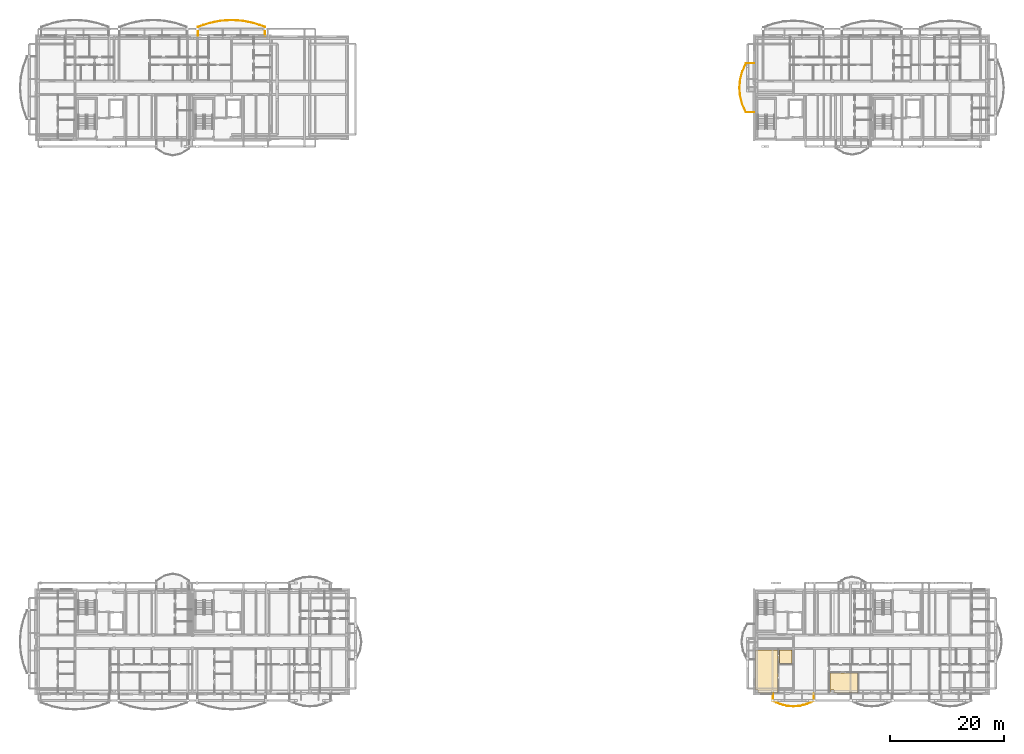
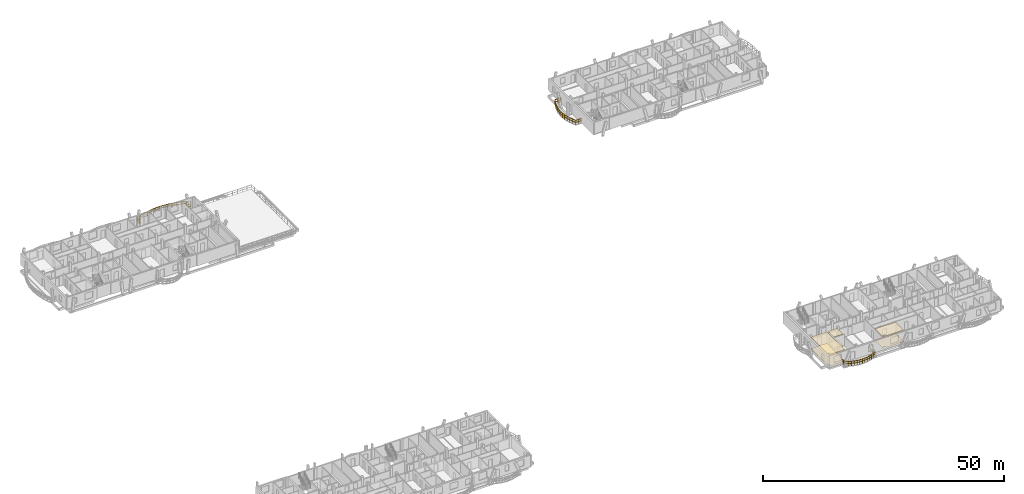
# One storey, part 38 of 42: 6 coverings, 3 railings.
"""IFC4 building model written with IfcOpenShell, lengths in metres."""

from ifc_helpers import new_model, si_unit, direction, frame, origin, origin_2d, place, context, subcontext, project, spatial, polyline, rectangle, outline, extrude, material, layer, layer_set, type_object, element, save


model = new_model("IFC4")

# Units and contexts
model_context = context("Model", 3, precision=1e-05, world=origin(), true_north=direction((0.0, 1.0)))
body_context = subcontext(model_context, "Body", "Model", "MODEL_VIEW")
ifc_project = project(units=[si_unit("LENGTHUNIT", "METRE"), si_unit("AREAUNIT", "SQUARE_METRE"), si_unit("VOLUMEUNIT", "CUBIC_METRE"), si_unit("PLANEANGLEUNIT", "RADIAN"), si_unit("MASSUNIT", "GRAM", prefix="KILO")], contexts=[model_context])

# Site, building, storey
site_placement = place(None, origin())
site = spatial("IfcSite", under=ifc_project, at=site_placement, CompositionType="ELEMENT")
building_placement = place(site_placement, origin())
building = spatial("IfcBuilding", under=site, at=building_placement, Name="Zavelmont Quarter", CompositionType="ELEMENT")
storey_placement = place(building_placement, frame((0.0, 0.0, 24.0)))
storey = spatial("IfcBuildingStorey", under=building, at=storey_placement, Name="L07", CompositionType="ELEMENT", Elevation=24.0)

# Coverings
ifc_material_1 = material(Name="Perforated acoustic gypsum board")
ifc_layer_1 = layer(ifc_material_1, 0.02490234375)
ifc_layer_set_1 = layer_set([ifc_layer_1], Name="Perforated acoustic gypsum board")
covering_type_1 = type_object("IfcCoveringType", Name="CV-CL01", PredefinedType="CEILING", material=ifc_layer_set_1)
covering_1_placement = place(storey_placement, frame((0.0, 0.0, 2.925048828125)))
element("IfcCovering", 1, at=covering_1_placement, inside=storey, type_object=covering_type_1, Name="L07 Residents Study Lounge acoustic ceiling", PredefinedType="CEILING", context=body_context, shape_type="SweptSolid", body=[
    extrude(outline(polyline([(126.830078125, 7.735107421875), (127.304931640625, 7.735107421875), (127.304931640625, 7.77001953125), (130.77001953125, 7.77001953125), (130.77001953125, 0.280029296875), (127.304931640625, 0.280029296875), (127.304931640625, 0.705078125), (126.830078125, 0.705078125), (126.830078125, 7.735107421875)])), origin(), (0.0, 0.0, 1.0), 0.02490234375),
])
covering_2_placement = place(storey_placement, frame((0.0, 0.0, 2.925048828125)))
element("IfcCovering", 2, at=covering_2_placement, inside=storey, type_object=covering_type_1, Name="L07 Single Bedroom acoustic ceiling", PredefinedType="CEILING", context=body_context, shape_type="SweptSolid", body=[
    extrude(outline(polyline([(139.929931640625, 3.669921875), (144.8701171875, 3.669921875), (144.8701171875, 0.280029296875), (140.6650390625, 0.280029296875), (140.6650390625, 0.705078125), (140.135009765625, 0.705078125), (140.135009765625, 0.280029296875), (139.929931640625, 0.280029296875), (139.929931640625, 3.669921875)])), origin(), (0.0, 0.0, 1.0), 0.02490234375),
])
ifc_material_2 = material(Name="Moisture-resistant painted gypsum ceiling")
ifc_layer_2 = layer(ifc_material_2, 0.02001953125)
ifc_layer_set_2 = layer_set([ifc_layer_2], Name="Moisture-resistant painted gypsum ceiling")
covering_type_2 = type_object("IfcCoveringType", Name="CV-CL04", PredefinedType="CEILING", material=ifc_layer_set_2)
covering_3_placement = place(storey_placement, frame((0.0, 0.0, 2.929931640625)))
element("IfcCovering", 3, at=covering_3_placement, inside=storey, type_object=covering_type_2, Name="L07 Accessible Toilet acoustic ceiling", PredefinedType="CEILING", context=body_context, shape_type="SweptSolid", body=[
    extrude(outline(polyline([(131.030029296875, 7.77001953125), (133.235107421875, 7.77001953125), (133.235107421875, 7.735107421875), (133.27001953125, 7.735107421875), (133.27001953125, 5.330078125), (131.030029296875, 5.330078125), (131.030029296875, 7.77001953125)])), origin(), (0.0, 0.0, 1.0), 0.02001953125),
])
ifc_material_3 = material(Name="Engineered European oak parquet")
ifc_layer_3 = layer(ifc_material_3, 0.02197265625)
ifc_layer_set_3 = layer_set([ifc_layer_3], Name="Engineered European oak parquet")
covering_type_3 = type_object("IfcCoveringType", Name="CV-FL01", PredefinedType="FLOORING", material=ifc_layer_set_3)
covering_4_placement = place(storey_placement, origin())
element("IfcCovering", 4, at=covering_4_placement, inside=storey, type_object=covering_type_3, Name="L07 Residents Study Lounge floor finish", PredefinedType="FLOORING", context=body_context, shape_type="SweptSolid", body=[
    extrude(outline(polyline([(126.830078125, 7.735107421875), (127.304931640625, 7.735107421875), (127.304931640625, 7.77001953125), (130.77001953125, 7.77001953125), (130.77001953125, 0.280029296875), (127.304931640625, 0.280029296875), (127.304931640625, 0.705078125), (126.830078125, 0.705078125), (126.830078125, 7.735107421875)])), origin(), (0.0, 0.0, 1.0), 0.02197265625),
])
covering_5_placement = place(storey_placement, origin())
element("IfcCovering", 5, at=covering_5_placement, inside=storey, type_object=covering_type_3, Name="L07 Single Bedroom floor finish", PredefinedType="FLOORING", context=body_context, shape_type="SweptSolid", body=[
    extrude(outline(polyline([(139.929931640625, 3.669921875), (144.8701171875, 3.669921875), (144.8701171875, 0.280029296875), (140.6650390625, 0.280029296875), (140.6650390625, 0.705078125), (140.135009765625, 0.705078125), (140.135009765625, 0.280029296875), (139.929931640625, 0.280029296875), (139.929931640625, 3.669921875)])), origin(), (0.0, 0.0, 1.0), 0.02197265625),
])
ifc_material_4 = material(Name="Slip-resistant porcelain tile")
ifc_layer_4 = layer(ifc_material_4, 0.02587890625)
ifc_layer_set_4 = layer_set([ifc_layer_4], Name="Slip-resistant porcelain tile")
covering_type_4 = type_object("IfcCoveringType", Name="CV-FL04", PredefinedType="FLOORING", material=ifc_layer_set_4)
covering_6_placement = place(storey_placement, origin())
element("IfcCovering", 6, at=covering_6_placement, inside=storey, type_object=covering_type_4, Name="L07 Accessible Toilet floor finish", PredefinedType="FLOORING", context=body_context, shape_type="SweptSolid", body=[
    extrude(outline(polyline([(131.030029296875, 7.77001953125), (133.235107421875, 7.77001953125), (133.235107421875, 7.735107421875), (133.27001953125, 7.735107421875), (133.27001953125, 5.330078125), (131.030029296875, 5.330078125), (131.030029296875, 7.77001953125)])), origin(), (0.0, 0.0, 1.0), 0.02587890625),
])

# Railings
ifc_material_5 = material(Name="Powder-coated steel and tempered double safety glass", Category="steel")
railing_type = type_object("IfcRailingType", Name="RL-BAL1", PredefinedType="BALUSTRADE", material=ifc_material_5)
railing_1_placement = place(storey_placement, frame((40.421142578125, 116.02001953125, 0.0)))
element("IfcRailing", 7, at=railing_1_placement, inside=storey, type_object=railing_type, Name="L07 Block B curved balcony guard RL-BAL1", PredefinedType="BALUSTRADE", context=body_context, shape_type="SweptSolid", body=[
    extrude(rectangle(XDim=0.048095703125, YDim=0.048095703125, at=origin_2d()), frame((0.0, 0.0, 1.076171875), z_axis=(0.0, 1.0, 0.0), x_axis=(-1.0, 0.0, 0.0)), (0.0, 0.0, 1.0), 1.50830078125),
    extrude(rectangle(XDim=0.048095703125, YDim=0.048095703125, at=origin_2d()), frame((0.0, 0.0, 0.550048828125), z_axis=(0.0, 1.0, 0.0), x_axis=(-1.0, 0.0, 0.0)), (0.0, 0.0, 1.0), 1.50830078125),
    extrude(rectangle(XDim=0.048095703125, YDim=0.048095703125, at=origin_2d()), frame((0.0, 1.50830078125, 1.076171875), z_axis=(-0.947362600298, 0.320162620487, 0.0), x_axis=(-0.320162620487, -0.947362600298, 0.0)), (0.0, 0.0, 1.0), 2.083251953125),
    extrude(rectangle(XDim=0.048095703125, YDim=0.048095703125, at=origin_2d()), frame((0.0, 1.50830078125, 0.550048828125), z_axis=(-0.947362600298, 0.320162620487, 0.0), x_axis=(-0.320162620487, -0.947362600298, 0.0)), (0.0, 0.0, 1.0), 2.083251953125),
    extrude(rectangle(XDim=0.048095703125, YDim=0.048095703125, at=origin_2d()), frame((-1.9736328125, 2.17529296875, 1.076171875), z_axis=(-0.980040858386, 0.198796166698, 0.0), x_axis=(-0.198796166698, -0.980040858386, 0.0)), (0.0, 0.0, 1.0), 2.01416015625),
    extrude(rectangle(XDim=0.048095703125, YDim=0.048095703125, at=origin_2d()), frame((-1.9736328125, 2.17529296875, 0.550048828125), z_axis=(-0.980040858386, 0.198796166698, 0.0), x_axis=(-0.198796166698, -0.980040858386, 0.0)), (0.0, 0.0, 1.0), 2.01416015625),
    extrude(rectangle(XDim=0.048095703125, YDim=0.048095703125, at=origin_2d()), frame((-3.947509765625, 2.57568359375, 1.076171875), z_axis=(-0.997726892806, 0.067387293849, 0.0), x_axis=(-0.067387293849, -0.997726892806, 0.0)), (0.0, 0.0, 1.0), 1.97802734375),
    extrude(rectangle(XDim=0.048095703125, YDim=0.048095703125, at=origin_2d()), frame((-3.947509765625, 2.57568359375, 0.550048828125), z_axis=(-0.997726892806, 0.067387293849, 0.0), x_axis=(-0.067387293849, -0.997726892806, 0.0)), (0.0, 0.0, 1.0), 1.97802734375),
    extrude(rectangle(XDim=0.048095703125, YDim=0.048095703125, at=origin_2d()), frame((-5.921142578125, 2.708984375, 1.076171875), z_axis=(-0.997726892806, -0.067387293849, 0.0), x_axis=(0.067387293849, -0.997726892806, 0.0)), (0.0, 0.0, 1.0), 1.97802734375),
    extrude(rectangle(XDim=0.048095703125, YDim=0.048095703125, at=origin_2d()), frame((-5.921142578125, 2.708984375, 0.550048828125), z_axis=(-0.997726892806, -0.067387293849, 0.0), x_axis=(0.067387293849, -0.997726892806, 0.0)), (0.0, 0.0, 1.0), 1.97802734375),
    extrude(rectangle(XDim=0.048095703125, YDim=0.048095703125, at=origin_2d()), frame((-7.894775390625, 2.57568359375, 1.076171875), z_axis=(-0.980040858386, -0.198796166698, 0.0), x_axis=(0.198796166698, -0.980040858386, 0.0)), (0.0, 0.0, 1.0), 2.01416015625),
    extrude(rectangle(XDim=0.048095703125, YDim=0.048095703125, at=origin_2d()), frame((-7.894775390625, 2.57568359375, 0.550048828125), z_axis=(-0.980040858386, -0.198796166698, 0.0), x_axis=(0.198796166698, -0.980040858386, 0.0)), (0.0, 0.0, 1.0), 2.01416015625),
    extrude(rectangle(XDim=0.048095703125, YDim=0.048095703125, at=origin_2d()), frame((-9.86865234375, 2.17529296875, 1.076171875), z_axis=(-0.947362600298, -0.320162620487, 0.0), x_axis=(0.320162620487, -0.947362600298, 0.0)), (0.0, 0.0, 1.0), 2.083251953125),
    extrude(rectangle(XDim=0.048095703125, YDim=0.048095703125, at=origin_2d()), frame((-9.86865234375, 2.17529296875, 0.550048828125), z_axis=(-0.947362600298, -0.320162620487, 0.0), x_axis=(0.320162620487, -0.947362600298, 0.0)), (0.0, 0.0, 1.0), 2.083251953125),
    extrude(rectangle(XDim=0.048095703125, YDim=0.048095703125, at=origin_2d()), frame((-11.84228515625, 1.50830078125, 1.076171875), z_axis=(0.0, -1.0, 0.0), x_axis=(1.0, 0.0, 0.0)), (0.0, 0.0, 1.0), 1.50830078125),
    extrude(rectangle(XDim=0.048095703125, YDim=0.048095703125, at=origin_2d()), frame((-11.84228515625, 1.50830078125, 0.550048828125), z_axis=(0.0, -1.0, 0.0), x_axis=(1.0, 0.0, 0.0)), (0.0, 0.0, 1.0), 1.50830078125),
    extrude(rectangle(XDim=0.0419921875, YDim=0.0419921875, at=origin_2d()), origin(), (0.0, 0.0, 1.0), 1.052001953125),
    extrude(rectangle(XDim=0.0419921875, YDim=0.0419921875, at=origin_2d()), frame((0.0, 0.754150390625, 0.0)), (0.0, 0.0, 1.0), 1.052001953125),
    extrude(rectangle(XDim=0.0419921875, YDim=0.0419921875, at=origin_2d()), frame((0.0, 1.50830078125, 0.0)), (0.0, 0.0, 1.0), 1.052001953125),
    extrude(rectangle(XDim=0.0419921875, YDim=0.0419921875, at=origin_2d()), frame((-0.98681640625, 1.841796875, 0.0)), (0.0, 0.0, 1.0), 1.052001953125),
    extrude(rectangle(XDim=0.0419921875, YDim=0.0419921875, at=origin_2d()), frame((-1.9736328125, 2.17529296875, 0.0)), (0.0, 0.0, 1.0), 1.052001953125),
    extrude(rectangle(XDim=0.0419921875, YDim=0.0419921875, at=origin_2d()), frame((-2.96044921875, 2.37548828125, 0.0)), (0.0, 0.0, 1.0), 1.052001953125),
    extrude(rectangle(XDim=0.0419921875, YDim=0.0419921875, at=origin_2d()), frame((-3.947509765625, 2.57568359375, 0.0)), (0.0, 0.0, 1.0), 1.052001953125),
    extrude(rectangle(XDim=0.0419921875, YDim=0.0419921875, at=origin_2d()), frame((-4.934326171875, 2.642333984375, 0.0)), (0.0, 0.0, 1.0), 1.052001953125),
    extrude(rectangle(XDim=0.0419921875, YDim=0.0419921875, at=origin_2d()), frame((-5.921142578125, 2.708984375, 0.0)), (0.0, 0.0, 1.0), 1.052001953125),
    extrude(rectangle(XDim=0.0419921875, YDim=0.0419921875, at=origin_2d()), frame((-6.907958984375, 2.642333984375, 0.0)), (0.0, 0.0, 1.0), 1.052001953125),
    extrude(rectangle(XDim=0.0419921875, YDim=0.0419921875, at=origin_2d()), frame((-7.894775390625, 2.57568359375, 0.0)), (0.0, 0.0, 1.0), 1.052001953125),
    extrude(rectangle(XDim=0.0419921875, YDim=0.0419921875, at=origin_2d()), frame((-8.8818359375, 2.37548828125, 0.0)), (0.0, 0.0, 1.0), 1.052001953125),
    extrude(rectangle(XDim=0.0419921875, YDim=0.0419921875, at=origin_2d()), frame((-9.86865234375, 2.17529296875, 0.0)), (0.0, 0.0, 1.0), 1.052001953125),
    extrude(rectangle(XDim=0.0419921875, YDim=0.0419921875, at=origin_2d()), frame((-10.85546875, 1.841796875, 0.0)), (0.0, 0.0, 1.0), 1.052001953125),
    extrude(rectangle(XDim=0.0419921875, YDim=0.0419921875, at=origin_2d()), frame((-11.84228515625, 1.50830078125, 0.0)), (0.0, 0.0, 1.0), 1.052001953125),
    extrude(rectangle(XDim=0.0419921875, YDim=0.0419921875, at=origin_2d()), frame((-11.84228515625, 0.754150390625, 0.0)), (0.0, 0.0, 1.0), 1.052001953125),
    extrude(rectangle(XDim=0.0419921875, YDim=0.0419921875, at=origin_2d()), frame((-11.84228515625, 0.0, 0.0)), (0.0, 0.0, 1.0), 1.052001953125),
])
railing_2_placement = place(storey_placement, frame((126.580078125, 111.11376953125, 0.0)))
element("IfcRailing", 8, at=railing_2_placement, inside=storey, type_object=railing_type, Name="L07 Block C curved balcony guard RL-BAL1", PredefinedType="BALUSTRADE", context=body_context, shape_type="SweptSolid", body=[
    extrude(rectangle(XDim=0.048095703125, YDim=0.048095703125, at=origin_2d()), frame((0.0, 0.0, 1.076171875), z_axis=(-1.0, 0.0, 0.0), x_axis=(0.0, -1.0, 0.0)), (0.0, 0.0, 1.0), 1.43212890625),
    extrude(rectangle(XDim=0.048095703125, YDim=0.048095703125, at=origin_2d()), frame((0.0, 0.0, 0.550048828125), z_axis=(-1.0, 0.0, 0.0), x_axis=(0.0, -1.0, 0.0)), (0.0, 0.0, 1.0), 1.43212890625),
    extrude(rectangle(XDim=0.048095703125, YDim=0.048095703125, at=origin_2d()), frame((-1.43212890625, 0.0, 1.076171875), z_axis=(-0.403311238491, -0.91506286391, 0.0), x_axis=(0.91506286391, -0.403311238491, 0.0)), (0.0, 0.0, 1.0), 1.571533203125),
    extrude(rectangle(XDim=0.048095703125, YDim=0.048095703125, at=origin_2d()), frame((-1.43212890625, 0.0, 0.550048828125), z_axis=(-0.403311238491, -0.91506286391, 0.0), x_axis=(0.91506286391, -0.403311238491, 0.0)), (0.0, 0.0, 1.0), 1.571533203125),
    extrude(rectangle(XDim=0.048095703125, YDim=0.048095703125, at=origin_2d()), frame((-2.06591796875, -1.43798828125, 1.076171875), z_axis=(-0.255721124263, -0.966750591727, 0.0), x_axis=(0.966750591727, -0.255721124263, 0.0)), (0.0, 0.0, 1.0), 1.487548828125),
    extrude(rectangle(XDim=0.048095703125, YDim=0.048095703125, at=origin_2d()), frame((-2.06591796875, -1.43798828125, 0.550048828125), z_axis=(-0.255721124263, -0.966750591727, 0.0), x_axis=(0.966750591727, -0.255721124263, 0.0)), (0.0, 0.0, 1.0), 1.487548828125),
    extrude(rectangle(XDim=0.048095703125, YDim=0.048095703125, at=origin_2d()), frame((-2.4462890625, -2.8759765625, 1.076171875), z_axis=(-0.0877901404, -0.996138991933, 0.0), x_axis=(0.996138991933, -0.0877901404, 0.0)), (0.0, 0.0, 1.0), 1.443359375),
    extrude(rectangle(XDim=0.048095703125, YDim=0.048095703125, at=origin_2d()), frame((-2.4462890625, -2.8759765625, 0.550048828125), z_axis=(-0.0877901404, -0.996138991933, 0.0), x_axis=(0.996138991933, -0.0877901404, 0.0)), (0.0, 0.0, 1.0), 1.443359375),
    extrude(rectangle(XDim=0.048095703125, YDim=0.048095703125, at=origin_2d()), frame((-2.572998046875, -4.313720703125, 1.076171875), z_axis=(0.087775350297, -0.99614029528, 0.0), x_axis=(0.99614029528, 0.087775350297, 0.0)), (0.0, 0.0, 1.0), 1.443603515625),
    extrude(rectangle(XDim=0.048095703125, YDim=0.048095703125, at=origin_2d()), frame((-2.572998046875, -4.313720703125, 0.550048828125), z_axis=(0.087775350297, -0.99614029528, 0.0), x_axis=(0.99614029528, 0.087775350297, 0.0)), (0.0, 0.0, 1.0), 1.443603515625),
    extrude(rectangle(XDim=0.048095703125, YDim=0.048095703125, at=origin_2d()), frame((-2.4462890625, -5.751708984375, 1.076171875), z_axis=(0.255721124263, -0.966750591727, 0.0), x_axis=(0.966750591727, 0.255721124263, 0.0)), (0.0, 0.0, 1.0), 1.487548828125),
    extrude(rectangle(XDim=0.048095703125, YDim=0.048095703125, at=origin_2d()), frame((-2.4462890625, -5.751708984375, 0.550048828125), z_axis=(0.255721124263, -0.966750591727, 0.0), x_axis=(0.966750591727, 0.255721124263, 0.0)), (0.0, 0.0, 1.0), 1.487548828125),
    extrude(rectangle(XDim=0.048095703125, YDim=0.048095703125, at=origin_2d()), frame((-2.06591796875, -7.189697265625, 1.076171875), z_axis=(0.403311238491, -0.91506286391, 0.0), x_axis=(0.91506286391, 0.403311238491, 0.0)), (0.0, 0.0, 1.0), 1.571533203125),
    extrude(rectangle(XDim=0.048095703125, YDim=0.048095703125, at=origin_2d()), frame((-2.06591796875, -7.189697265625, 0.550048828125), z_axis=(0.403311238491, -0.91506286391, 0.0), x_axis=(0.91506286391, 0.403311238491, 0.0)), (0.0, 0.0, 1.0), 1.571533203125),
    extrude(rectangle(XDim=0.048095703125, YDim=0.048095703125, at=origin_2d()), frame((-1.43212890625, -8.627685546875, 1.076171875), z_axis=(1.0, 0.0, 0.0), x_axis=(0.0, 1.0, 0.0)), (0.0, 0.0, 1.0), 1.43212890625),
    extrude(rectangle(XDim=0.048095703125, YDim=0.048095703125, at=origin_2d()), frame((-1.43212890625, -8.627685546875, 0.550048828125), z_axis=(1.0, 0.0, 0.0), x_axis=(0.0, 1.0, 0.0)), (0.0, 0.0, 1.0), 1.43212890625),
    extrude(rectangle(XDim=0.0419921875, YDim=0.0419921875, at=origin_2d()), origin(), (0.0, 0.0, 1.0), 1.052001953125),
    extrude(rectangle(XDim=0.0419921875, YDim=0.0419921875, at=origin_2d()), frame((-0.716064453125, 0.0, 0.0)), (0.0, 0.0, 1.0), 1.052001953125),
    extrude(rectangle(XDim=0.0419921875, YDim=0.0419921875, at=origin_2d()), frame((-1.43212890625, 0.0, 0.0)), (0.0, 0.0, 1.0), 1.052001953125),
    extrude(rectangle(XDim=0.0419921875, YDim=0.0419921875, at=origin_2d()), frame((-1.7490234375, -0.718994140625, 0.0)), (0.0, 0.0, 1.0), 1.052001953125),
    extrude(rectangle(XDim=0.0419921875, YDim=0.0419921875, at=origin_2d()), frame((-2.06591796875, -1.43798828125, 0.0)), (0.0, 0.0, 1.0), 1.052001953125),
    extrude(rectangle(XDim=0.0419921875, YDim=0.0419921875, at=origin_2d()), frame((-2.256103515625, -2.156982421875, 0.0)), (0.0, 0.0, 1.0), 1.052001953125),
    extrude(rectangle(XDim=0.0419921875, YDim=0.0419921875, at=origin_2d()), frame((-2.4462890625, -2.8759765625, 0.0)), (0.0, 0.0, 1.0), 1.052001953125),
    extrude(rectangle(XDim=0.0419921875, YDim=0.0419921875, at=origin_2d()), frame((-2.509765625, -3.5947265625, 0.0)), (0.0, 0.0, 1.0), 1.052001953125),
    extrude(rectangle(XDim=0.0419921875, YDim=0.0419921875, at=origin_2d()), frame((-2.572998046875, -4.313720703125, 0.0)), (0.0, 0.0, 1.0), 1.052001953125),
    extrude(rectangle(XDim=0.0419921875, YDim=0.0419921875, at=origin_2d()), frame((-2.509765625, -5.03271484375, 0.0)), (0.0, 0.0, 1.0), 1.052001953125),
    extrude(rectangle(XDim=0.0419921875, YDim=0.0419921875, at=origin_2d()), frame((-2.4462890625, -5.751708984375, 0.0)), (0.0, 0.0, 1.0), 1.052001953125),
    extrude(rectangle(XDim=0.0419921875, YDim=0.0419921875, at=origin_2d()), frame((-2.256103515625, -6.470703125, 0.0)), (0.0, 0.0, 1.0), 1.052001953125),
    extrude(rectangle(XDim=0.0419921875, YDim=0.0419921875, at=origin_2d()), frame((-2.06591796875, -7.189697265625, 0.0)), (0.0, 0.0, 1.0), 1.052001953125),
    extrude(rectangle(XDim=0.0419921875, YDim=0.0419921875, at=origin_2d()), frame((-1.7490234375, -7.90869140625, 0.0)), (0.0, 0.0, 1.0), 1.052001953125),
    extrude(rectangle(XDim=0.0419921875, YDim=0.0419921875, at=origin_2d()), frame((-1.43212890625, -8.627685546875, 0.0)), (0.0, 0.0, 1.0), 1.052001953125),
    extrude(rectangle(XDim=0.0419921875, YDim=0.0419921875, at=origin_2d()), frame((-0.716064453125, -8.627685546875, 0.0)), (0.0, 0.0, 1.0), 1.052001953125),
    extrude(rectangle(XDim=0.0419921875, YDim=0.0419921875, at=origin_2d()), frame((0.0, -8.627685546875, 0.0)), (0.0, 0.0, 1.0), 1.052001953125),
])
railing_3_placement = place(storey_placement, frame((129.898681640625, -0.02001953125, 0.0)))
element("IfcRailing", 9, at=railing_3_placement, inside=storey, type_object=railing_type, Name="L07 Block D curved balcony guard RL-BAL1", PredefinedType="BALUSTRADE", context=body_context, shape_type="SweptSolid", body=[
    extrude(rectangle(XDim=0.048095703125, YDim=0.048095703125, at=origin_2d()), frame((0.0, 0.0, 1.076171875), z_axis=(0.0, -1.0, 0.0), x_axis=(1.0, 0.0, 0.0)), (0.0, 0.0, 1.0), 1.217529296875),
    extrude(rectangle(XDim=0.048095703125, YDim=0.048095703125, at=origin_2d()), frame((0.0, 0.0, 0.550048828125), z_axis=(0.0, -1.0, 0.0), x_axis=(1.0, 0.0, 0.0)), (0.0, 0.0, 1.0), 1.217529296875),
    extrude(rectangle(XDim=0.048095703125, YDim=0.048095703125, at=origin_2d()), frame((0.0, -1.217529296875, 1.076171875), z_axis=(0.911897212815, -0.410418656083, 0.0), x_axis=(0.410418656083, 0.911897212815, 0.0)), (0.0, 0.0, 1.0), 1.31640625),
    extrude(rectangle(XDim=0.048095703125, YDim=0.048095703125, at=origin_2d()), frame((0.0, -1.217529296875, 0.550048828125), z_axis=(0.911897212815, -0.410418656083, 0.0), x_axis=(0.410418656083, 0.911897212815, 0.0)), (0.0, 0.0, 1.0), 1.31640625),
    extrude(rectangle(XDim=0.048095703125, YDim=0.048095703125, at=origin_2d()), frame((1.200439453125, -1.7578125, 1.076171875), z_axis=(0.965408821509, -0.260740881628, 0.0), x_axis=(0.260740881628, 0.965408821509, 0.0)), (0.0, 0.0, 1.0), 1.243408203125),
    extrude(rectangle(XDim=0.048095703125, YDim=0.048095703125, at=origin_2d()), frame((1.200439453125, -1.7578125, 0.550048828125), z_axis=(0.965408821509, -0.260740881628, 0.0), x_axis=(0.260740881628, 0.965408821509, 0.0)), (0.0, 0.0, 1.0), 1.243408203125),
    extrude(rectangle(XDim=0.048095703125, YDim=0.048095703125, at=origin_2d()), frame((2.40087890625, -2.08203125, 1.076171875), z_axis=(0.995984017594, -0.089531205161, 0.0), x_axis=(0.089531205161, 0.995984017594, 0.0)), (0.0, 0.0, 1.0), 1.205322265625),
    extrude(rectangle(XDim=0.048095703125, YDim=0.048095703125, at=origin_2d()), frame((2.40087890625, -2.08203125, 0.550048828125), z_axis=(0.995984017594, -0.089531205161, 0.0), x_axis=(0.089531205161, 0.995984017594, 0.0)), (0.0, 0.0, 1.0), 1.205322265625),
    extrude(rectangle(XDim=0.048095703125, YDim=0.048095703125, at=origin_2d()), frame((3.601318359375, -2.18994140625, 1.076171875), z_axis=(0.995984017594, 0.089531205161, 0.0), x_axis=(-0.089531205161, 0.995984017594, 0.0)), (0.0, 0.0, 1.0), 1.205322265625),
    extrude(rectangle(XDim=0.048095703125, YDim=0.048095703125, at=origin_2d()), frame((3.601318359375, -2.18994140625, 0.550048828125), z_axis=(0.995984017594, 0.089531205161, 0.0), x_axis=(-0.089531205161, 0.995984017594, 0.0)), (0.0, 0.0, 1.0), 1.205322265625),
    extrude(rectangle(XDim=0.048095703125, YDim=0.048095703125, at=origin_2d()), frame((4.8017578125, -2.08203125, 1.076171875), z_axis=(0.965408821509, 0.260740881628, 0.0), x_axis=(-0.260740881628, 0.965408821509, 0.0)), (0.0, 0.0, 1.0), 1.243408203125),
    extrude(rectangle(XDim=0.048095703125, YDim=0.048095703125, at=origin_2d()), frame((4.8017578125, -2.08203125, 0.550048828125), z_axis=(0.965408821509, 0.260740881628, 0.0), x_axis=(-0.260740881628, 0.965408821509, 0.0)), (0.0, 0.0, 1.0), 1.243408203125),
    extrude(rectangle(XDim=0.048095703125, YDim=0.048095703125, at=origin_2d()), frame((6.002197265625, -1.7578125, 1.076171875), z_axis=(0.911897212815, 0.410418656083, 0.0), x_axis=(-0.410418656083, 0.911897212815, 0.0)), (0.0, 0.0, 1.0), 1.31640625),
    extrude(rectangle(XDim=0.048095703125, YDim=0.048095703125, at=origin_2d()), frame((6.002197265625, -1.7578125, 0.550048828125), z_axis=(0.911897212815, 0.410418656083, 0.0), x_axis=(-0.410418656083, 0.911897212815, 0.0)), (0.0, 0.0, 1.0), 1.31640625),
    extrude(rectangle(XDim=0.048095703125, YDim=0.048095703125, at=origin_2d()), frame((7.20263671875, -1.217529296875, 1.076171875), z_axis=(0.0, 1.0, 0.0), x_axis=(-1.0, 0.0, 0.0)), (0.0, 0.0, 1.0), 1.217529296875),
    extrude(rectangle(XDim=0.048095703125, YDim=0.048095703125, at=origin_2d()), frame((7.20263671875, -1.217529296875, 0.550048828125), z_axis=(0.0, 1.0, 0.0), x_axis=(-1.0, 0.0, 0.0)), (0.0, 0.0, 1.0), 1.217529296875),
    extrude(rectangle(XDim=0.0419921875, YDim=0.0419921875, at=origin_2d()), origin(), (0.0, 0.0, 1.0), 1.052001953125),
    extrude(rectangle(XDim=0.0419921875, YDim=0.0419921875, at=origin_2d()), frame((0.0, -0.60888671875, 0.0)), (0.0, 0.0, 1.0), 1.052001953125),
    extrude(rectangle(XDim=0.0419921875, YDim=0.0419921875, at=origin_2d()), frame((0.0, -1.217529296875, 0.0)), (0.0, 0.0, 1.0), 1.052001953125),
    extrude(rectangle(XDim=0.0419921875, YDim=0.0419921875, at=origin_2d()), frame((0.60009765625, -1.48779296875, 0.0)), (0.0, 0.0, 1.0), 1.052001953125),
    extrude(rectangle(XDim=0.0419921875, YDim=0.0419921875, at=origin_2d()), frame((1.200439453125, -1.7578125, 0.0)), (0.0, 0.0, 1.0), 1.052001953125),
    extrude(rectangle(XDim=0.0419921875, YDim=0.0419921875, at=origin_2d()), frame((1.80078125, -1.919921875, 0.0)), (0.0, 0.0, 1.0), 1.052001953125),
    extrude(rectangle(XDim=0.0419921875, YDim=0.0419921875, at=origin_2d()), frame((2.40087890625, -2.08203125, 0.0)), (0.0, 0.0, 1.0), 1.052001953125),
    extrude(rectangle(XDim=0.0419921875, YDim=0.0419921875, at=origin_2d()), frame((3.0009765625, -2.135986328125, 0.0)), (0.0, 0.0, 1.0), 1.052001953125),
    extrude(rectangle(XDim=0.0419921875, YDim=0.0419921875, at=origin_2d()), frame((3.601318359375, -2.18994140625, 0.0)), (0.0, 0.0, 1.0), 1.052001953125),
    extrude(rectangle(XDim=0.0419921875, YDim=0.0419921875, at=origin_2d()), frame((4.20166015625, -2.135986328125, 0.0)), (0.0, 0.0, 1.0), 1.052001953125),
    extrude(rectangle(XDim=0.0419921875, YDim=0.0419921875, at=origin_2d()), frame((4.8017578125, -2.08203125, 0.0)), (0.0, 0.0, 1.0), 1.052001953125),
    extrude(rectangle(XDim=0.0419921875, YDim=0.0419921875, at=origin_2d()), frame((5.40185546875, -1.919921875, 0.0)), (0.0, 0.0, 1.0), 1.052001953125),
    extrude(rectangle(XDim=0.0419921875, YDim=0.0419921875, at=origin_2d()), frame((6.002197265625, -1.7578125, 0.0)), (0.0, 0.0, 1.0), 1.052001953125),
    extrude(rectangle(XDim=0.0419921875, YDim=0.0419921875, at=origin_2d()), frame((6.6025390625, -1.48779296875, 0.0)), (0.0, 0.0, 1.0), 1.052001953125),
    extrude(rectangle(XDim=0.0419921875, YDim=0.0419921875, at=origin_2d()), frame((7.20263671875, -1.217529296875, 0.0)), (0.0, 0.0, 1.0), 1.052001953125),
    extrude(rectangle(XDim=0.0419921875, YDim=0.0419921875, at=origin_2d()), frame((7.20263671875, -0.60888671875, 0.0)), (0.0, 0.0, 1.0), 1.052001953125),
    extrude(rectangle(XDim=0.0419921875, YDim=0.0419921875, at=origin_2d()), frame((7.20263671875, 0.0, 0.0)), (0.0, 0.0, 1.0), 1.052001953125),
])

save(model, "model.ifc")
